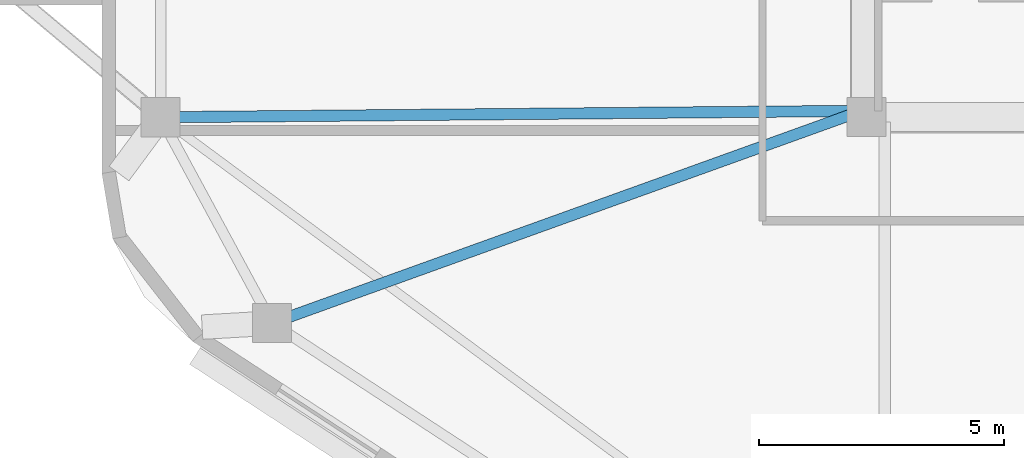
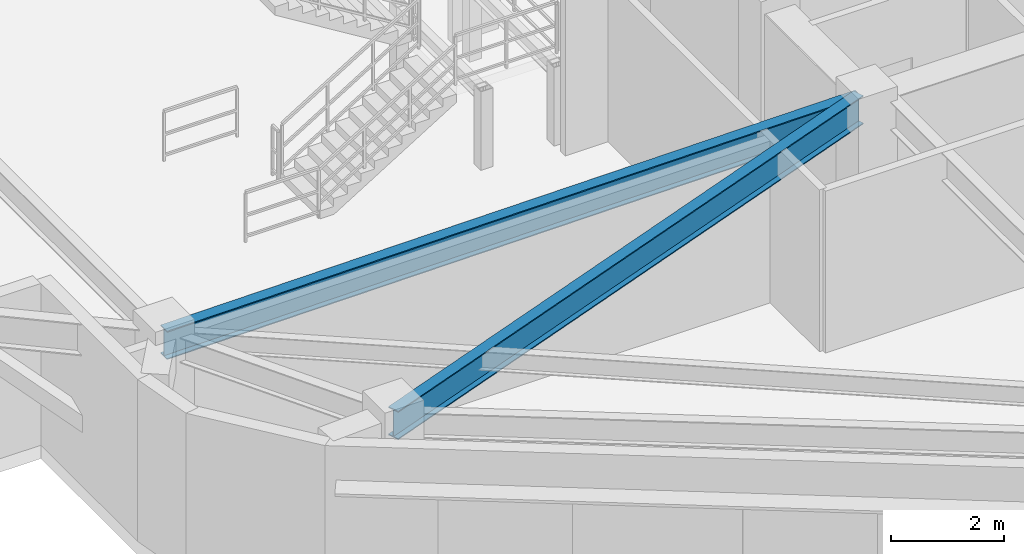
# One storey, part 3 of 18: 2 beams.
"""IFC4 building model written with IfcOpenShell, lengths in metres."""

from ifc_helpers import new_model, si_unit, direction, frame, origin, origin_2d, place, context, subcontext, project, spatial, i_section, extrude, material, material_profile, profile_set, type_object, element, save


model = new_model("IFC4")

# Units and contexts
model_context = context("Model", 3, precision=1e-05, world=origin(), true_north=direction((0.0, 1.0)))
body_context = subcontext(model_context, "Body", "Model", "MODEL_VIEW")
ifc_project = project(units=[si_unit("LENGTHUNIT", "METRE"), si_unit("AREAUNIT", "SQUARE_METRE"), si_unit("VOLUMEUNIT", "CUBIC_METRE"), si_unit("PLANEANGLEUNIT", "RADIAN"), si_unit("MASSUNIT", "GRAM", prefix="KILO")], contexts=[model_context])

# Site, building, storey
site_placement = place(None, origin())
site = spatial("IfcSite", under=ifc_project, at=site_placement, CompositionType="ELEMENT")
building_placement = place(site_placement, origin())
building = spatial("IfcBuilding", under=site, at=building_placement, Name="Zulverin Broadcast Headquarters", CompositionType="ELEMENT")
storey_placement = place(building_placement, frame((0.0, 0.0, 225.0)))
storey = spatial("IfcBuildingStorey", under=building, at=storey_placement, Name="L57", CompositionType="ELEMENT", Elevation=225.0)

# Beams
ifc_material = material(Name="Structural steel S355JR", Category="steel")
ifc_material_profile = material_profile(ifc_material, i_section(OverallWidth=0.230224609375, OverallDepth=0.6171875, WebThickness=0.01318359375, FlangeThickness=0.022216796875, at=origin_2d()), Name="Structural steel S355JR", Category="steel")
ifc_profile_set = profile_set([ifc_material_profile], Name="Structural steel S355JR")
beam_type = type_object("IfcBeamType", Name="BM-UB-610", PredefinedType="BEAM", material=ifc_profile_set)
beam_1_placement = place(storey_placement, frame((25.625, 17.449951171875, 3.201416015625), z_axis=(-0.999957965975, -0.009168766693, 0.0), x_axis=(0.009168766693, -0.999957965975, 0.0)))
element("IfcBeam", 1, at=beam_1_placement, inside=storey, type_object=beam_type, Name="L57 Radial Primary Floor Beam RB-14", PredefinedType="BEAM", context=body_context, shape_type="SweptSolid", body=[
    extrude(i_section(OverallWidth=0.230224609375, OverallDepth=0.6171875, WebThickness=0.01318359375, FlangeThickness=0.022216796875, at=origin_2d()), origin(), (0.0, 0.0, 1.0), 14.325439453125),
])
beam_2_placement = place(storey_placement, frame((25.625, 17.449951171875, 3.201416015625), z_axis=(-0.940871370382, -0.338764024646, 0.0), x_axis=(0.338764024646, -0.940871370382, 0.0)))
element("IfcBeam", 2, at=beam_2_placement, inside=storey, type_object=beam_type, Name="L57 Radial Primary Floor Beam RB-15", PredefinedType="BEAM", context=body_context, shape_type="SweptSolid", body=[
    extrude(i_section(OverallWidth=0.230224609375, OverallDepth=0.6171875, WebThickness=0.01318359375, FlangeThickness=0.022216796875, at=origin_2d()), origin(), (0.0, 0.0, 1.0), 12.8056640625),
])

save(model, "model.ifc")
